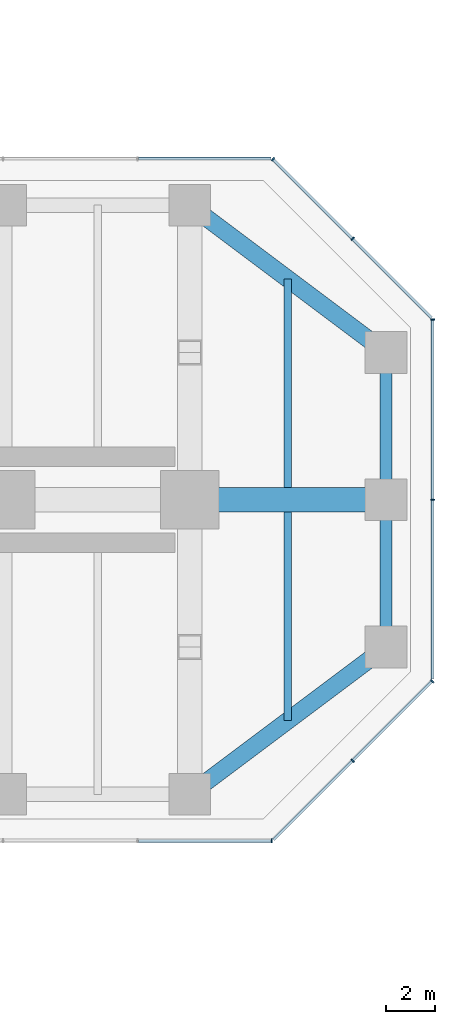
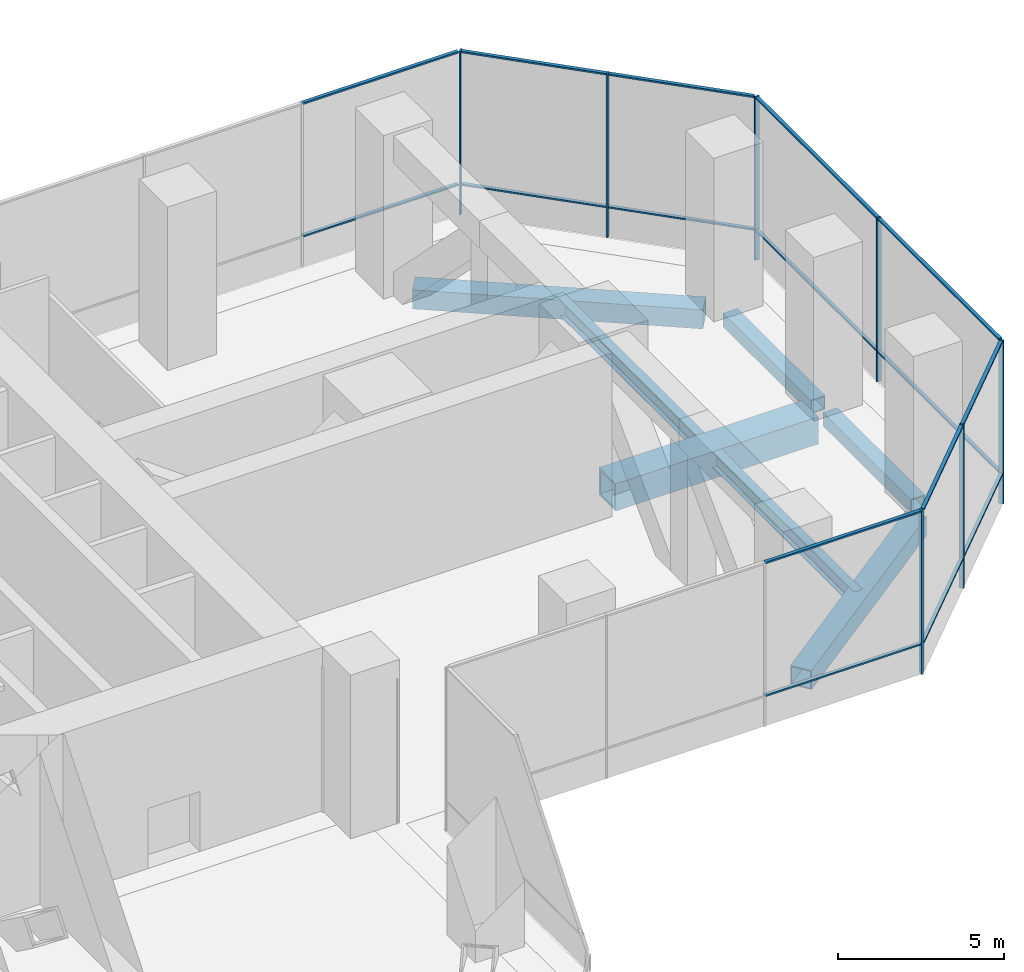
# One storey, part 11 of 19: 23 members, 7 beams, 5 elements without a shape of their own.
"""IFC4 building model written with IfcOpenShell, lengths in metres."""

from ifc_helpers import new_model, si_unit, direction, frame, origin, origin_2d, place, context, subcontext, project, spatial, rectangle, hollow_rectangle, i_section, extrude, material, material_profile, profile_set, type_object, element, aggregate, save


model = new_model("IFC4")

# Units and contexts
model_context = context("Model", 3, precision=1e-05, world=origin(), true_north=direction((0.0, 1.0)))
body_context = subcontext(model_context, "Body", "Model", "MODEL_VIEW")
ifc_project = project(units=[si_unit("LENGTHUNIT", "METRE"), si_unit("AREAUNIT", "SQUARE_METRE"), si_unit("VOLUMEUNIT", "CUBIC_METRE"), si_unit("PLANEANGLEUNIT", "RADIAN"), si_unit("MASSUNIT", "GRAM", prefix="KILO")], contexts=[model_context])

# Site, building, storey
site_placement = place(None, origin())
site = spatial("IfcSite", under=ifc_project, at=site_placement, CompositionType="ELEMENT")
building_placement = place(site_placement, origin())
building = spatial("IfcBuilding", under=site, at=building_placement, Name="Mizan Broadcast Tower", CompositionType="ELEMENT")
storey_placement = place(building_placement, frame((0.0, 0.0, 198.89990234375)))
storey = spatial("IfcBuildingStorey", under=building, at=storey_placement, Name="L46", CompositionType="ELEMENT", Elevation=198.89990234375)

# Beams
ifc_material_1 = material(Name="Steel S355", Category="steel")
ifc_material_profile_1 = material_profile(ifc_material_1, hollow_rectangle(XDim=0.5, YDim=0.5, WallThickness=0.030029296875, at=origin_2d()), Name="BOX 500x500x30")
ifc_profile_set_1 = profile_set([ifc_material_profile_1], Name="Steel S355")
beam_type_1 = type_object("IfcBeamType", Name="EDGE BEAM BOX 500x500x30", PredefinedType="SPANDREL", material=ifc_profile_set_1)
for number, where, z_axis, x_axis, name in (
    (1, (35.0, -5.639892578125, -0.429931640625), (0.0, 1.0, 0.0), (-1.0, 0.0, 0.0), "Edge beam BOX 500x500x30 L46 east arm"),
    (2, (35.0, 5.639892578125, -0.429931640625), (0.0, -1.0, 0.0), (1.0, 0.0, 0.0), "Edge beam BOX 500x500x30 L46 east arm"),
):
    element("IfcBeam", number, at=place(storey_placement, frame(where, z_axis=z_axis, x_axis=x_axis)), inside=storey, type_object=beam_type_1, Name=name, PredefinedType="SPANDREL", context=body_context, shape_type="SweptSolid", body=[
        extrude(hollow_rectangle(XDim=0.5, YDim=0.5, WallThickness=0.030029296875, at=origin_2d()), origin(), (0.0, 0.0, 1.0), 5.27978515625),
    ])
ifc_material_2 = material(Name="Steel S355", Category="steel")
ifc_material_profile_2 = material_profile(ifc_material_2, hollow_rectangle(XDim=0.699951171875, YDim=0.699951171875, WallThickness=0.0400390625, at=origin_2d()), Name="BOX 700x700x40")
ifc_profile_set_2 = profile_set([ifc_material_profile_2], Name="Steel S355")
beam_type_2 = type_object("IfcBeamType", Name="EDGE BEAM BOX 700x700x40", PredefinedType="SPANDREL", material=ifc_profile_set_2)
for number, where, z_axis, x_axis, name in (
    (3, (27.47998046875, -11.639892578125, -0.52978515625), (0.800013316712, 0.599982243973, 0.0), (-0.599982243973, 0.800013316712, 0.0), "Edge beam BOX 700x700x40 L46 east arm"),
    (4, (27.47998046875, 11.639892578125, -0.52978515625), (0.800013316712, -0.599982243973, 0.0), (0.599982243973, 0.800013316712, 0.0), "Edge beam BOX 700x700x40 L46 east arm"),
):
    element("IfcBeam", number, at=place(storey_placement, frame(where, z_axis=z_axis, x_axis=x_axis)), inside=storey, type_object=beam_type_2, Name=name, PredefinedType="SPANDREL", context=body_context, shape_type="SweptSolid", body=[
        extrude(hollow_rectangle(XDim=0.699951171875, YDim=0.699951171875, WallThickness=0.0400390625, at=origin_2d()), origin(), (0.0, 0.0, 1.0), 8.7998046875),
    ])
ifc_material_3 = material(Name="Steel S460", Category="steel")
ifc_material_profile_3 = material_profile(ifc_material_3, hollow_rectangle(XDim=1.0, YDim=1.0, WallThickness=0.080078125, at=origin_2d()), Name="BOX 1000x1000x80")
ifc_profile_set_3 = profile_set([ifc_material_profile_3], Name="Steel S460")
beam_type_3 = type_object("IfcBeamType", Name="GIRDER BOX 1000x1000x80", PredefinedType="BEAM", material=ifc_profile_set_3)
beam_placement = place(storey_placement, frame((27.47998046875, 0.0, -0.679931640625), z_axis=(1.0, 0.0, 0.0), x_axis=(0.0, 1.0, 0.0)))
element("IfcBeam", 5, at=beam_placement, inside=storey, type_object=beam_type_3, Name="Girder BOX 1000x1000x80 L46 east arm", PredefinedType="BEAM", context=body_context, shape_type="SweptSolid", body=[
    extrude(hollow_rectangle(XDim=1.0, YDim=1.0, WallThickness=0.080078125, at=origin_2d()), origin(), (0.0, 0.0, 1.0), 7.0400390625),
])

# Curtain wall, member
ifc_material_4 = material(Name="Aluminium framed glazing", Category="aluminium")
curtain_wall_type = type_object("IfcCurtainWallType", Name="PLANT LOUVRE", PredefinedType="USERDEFINED", material=ifc_material_4)
curtain_wall_1_placement = place(storey_placement, origin())
curtain_wall_1 = element("IfcCurtainWall", 6, at=curtain_wall_1_placement, inside=storey, type_object=curtain_wall_type, Name="Plant louvre L46 E side", ObjectType="PLANT LOUVRE", PredefinedType="USERDEFINED")
ifc_material_5 = material(Name="Aluminium, pale anodised", Category="aluminium")
ifc_material_profile_4 = material_profile(ifc_material_5, rectangle(XDim=0.159912109375, YDim=0.06005859375, at=origin_2d()), Name="MULLION 160x60")
ifc_profile_set_4 = profile_set([ifc_material_profile_4], Name="Aluminium, pale anodised")
member_type_1 = type_object("IfcMemberType", Name="INNER SKIN MULLION 60x160", PredefinedType="MULLION", material=ifc_profile_set_4)
member_1_placement = place(storey_placement, frame((30.3427734375, -13.89990234375, 0.0), z_axis=(0.0, 0.0, 1.0), x_axis=(0.0, 1.0, 0.0)))
member_1 = element("IfcMember", 7, at=member_1_placement, type_object=member_type_1, Name="Plant louvre L46 E side mullion 4", PredefinedType="MULLION", context=body_context, shape_type="SweptSolid", body=[
    extrude(rectangle(XDim=0.159912109375, YDim=0.06005859375, at=origin_2d()), origin(), (0.0, 0.0, 1.0), 6.0),
])

# Curtain wall, members
curtain_wall_2_placement = place(storey_placement, origin())
curtain_wall_2 = element("IfcCurtainWall", 8, at=curtain_wall_2_placement, inside=storey, type_object=curtain_wall_type, Name="Plant louvre L46 E chamfer", ObjectType="PLANT LOUVRE", PredefinedType="USERDEFINED")
member_2_placement = place(storey_placement, frame((33.636474609375, -10.636474609375, 0.0), z_axis=(0.0, 0.0, 1.0), x_axis=(-0.707106781187, 0.707106781187, 0.0)))
member_2 = element("IfcMember", 9, at=member_2_placement, type_object=member_type_1, Name="Plant louvre L46 E chamfer mullion 2", PredefinedType="MULLION", context=body_context, shape_type="SweptSolid", body=[
    extrude(rectangle(XDim=0.159912109375, YDim=0.06005859375, at=origin_2d()), origin(), (0.0, 0.0, 1.0), 6.0),
])
member_3_placement = place(storey_placement, frame((36.87890625, -7.39404296875, 0.0), z_axis=(0.0, 0.0, 1.0), x_axis=(-0.707106781187, 0.707106781187, 0.0)))
member_3 = element("IfcMember", 10, at=member_3_placement, type_object=member_type_1, Name="Plant louvre L46 E chamfer mullion 3", PredefinedType="MULLION", context=body_context, shape_type="SweptSolid", body=[
    extrude(rectangle(XDim=0.159912109375, YDim=0.06005859375, at=origin_2d()), origin(), (0.0, 0.0, 1.0), 6.0),
])

curtain_wall_3_placement = place(storey_placement, origin())
curtain_wall_3 = element("IfcCurtainWall", 11, at=curtain_wall_3_placement, inside=storey, type_object=curtain_wall_type, Name="Plant louvre L46 E end", ObjectType="PLANT LOUVRE", PredefinedType="USERDEFINED")
member_4_placement = place(storey_placement, frame((36.89990234375, 0.0, 0.0), z_axis=(0.0, 0.0, 1.0), x_axis=(-1.0, 0.0, 0.0)))
member_4 = element("IfcMember", 12, at=member_4_placement, type_object=member_type_1, Name="Plant louvre L46 E end mullion 2", PredefinedType="MULLION", context=body_context, shape_type="SweptSolid", body=[
    extrude(rectangle(XDim=0.159912109375, YDim=0.06005859375, at=origin_2d()), origin(), (0.0, 0.0, 1.0), 6.0),
])
member_5_placement = place(storey_placement, frame((36.89990234375, 7.3427734375, 0.0), z_axis=(0.0, 0.0, 1.0), x_axis=(-1.0, 0.0, 0.0)))
member_5 = element("IfcMember", 13, at=member_5_placement, type_object=member_type_1, Name="Plant louvre L46 E end mullion 3", PredefinedType="MULLION", context=body_context, shape_type="SweptSolid", body=[
    extrude(rectangle(XDim=0.159912109375, YDim=0.06005859375, at=origin_2d()), origin(), (0.0, 0.0, 1.0), 6.0),
])

curtain_wall_4_placement = place(storey_placement, origin())
curtain_wall_4 = element("IfcCurtainWall", 14, at=curtain_wall_4_placement, inside=storey, type_object=curtain_wall_type, Name="Plant louvre L46 E chamfer", ObjectType="PLANT LOUVRE", PredefinedType="USERDEFINED")
member_6_placement = place(storey_placement, frame((33.636474609375, 10.636474609375, 0.0), z_axis=(0.0, 0.0, 1.0), x_axis=(-0.707106781187, -0.707106781187, 0.0)))
member_6 = element("IfcMember", 15, at=member_6_placement, type_object=member_type_1, Name="Plant louvre L46 E chamfer mullion 2", PredefinedType="MULLION", context=body_context, shape_type="SweptSolid", body=[
    extrude(rectangle(XDim=0.159912109375, YDim=0.06005859375, at=origin_2d()), origin(), (0.0, 0.0, 1.0), 6.0),
])
member_7_placement = place(storey_placement, frame((30.39404296875, 13.87890625, 0.0), z_axis=(0.0, 0.0, 1.0), x_axis=(-0.707106781187, -0.707106781187, 0.0)))
member_7 = element("IfcMember", 16, at=member_7_placement, type_object=member_type_1, Name="Plant louvre L46 E chamfer mullion 3", PredefinedType="MULLION", context=body_context, shape_type="SweptSolid", body=[
    extrude(rectangle(XDim=0.159912109375, YDim=0.06005859375, at=origin_2d()), origin(), (0.0, 0.0, 1.0), 6.0),
])

# Member
ifc_material_6 = material(Name="Aluminium, pale anodised", Category="aluminium")
ifc_material_profile_5 = material_profile(ifc_material_6, rectangle(XDim=0.1201171875, YDim=0.06005859375, at=origin_2d()), Name="TRANSOM 120x60")
ifc_profile_set_5 = profile_set([ifc_material_profile_5], Name="Aluminium, pale anodised")
member_type_2 = type_object("IfcMemberType", Name="INNER SKIN TRANSOM 60x120", PredefinedType="USERDEFINED", material=ifc_profile_set_5)
member_8_placement = place(storey_placement, frame((24.911865234375, -13.89990234375, 1.10009765625), z_axis=(1.0, 0.0, 0.0), x_axis=(0.0, 1.0, 0.0)))
member_8 = element("IfcMember", 17, at=member_8_placement, type_object=member_type_2, Name="Plant louvre L46 E side transom 3.1", ObjectType="TRANSOM", PredefinedType="USERDEFINED", context=body_context, shape_type="SweptSolid", body=[
    extrude(rectangle(XDim=0.1201171875, YDim=0.06005859375, at=origin_2d()), origin(), (0.0, 0.0, 1.0), 5.40087890625),
])

member_9_placement = place(storey_placement, frame((24.911865234375, -13.89990234375, 5.97021484375), z_axis=(1.0, 0.0, 0.0), x_axis=(0.0, 1.0, 0.0)))
member_9 = element("IfcMember", 18, at=member_9_placement, type_object=member_type_2, Name="Plant louvre L46 E side transom 3.2", ObjectType="TRANSOM", PredefinedType="USERDEFINED", context=body_context, shape_type="SweptSolid", body=[
    extrude(rectangle(XDim=0.1201171875, YDim=0.06005859375, at=origin_2d()), origin(), (0.0, 0.0, 1.0), 5.40087890625),
])

aggregate(curtain_wall_1, [member_1, member_8, member_9])

member_10_placement = place(storey_placement, frame((30.415283203125, -13.857666015625, 1.10009765625), z_axis=(0.707106781187, 0.707106781187, 0.0), x_axis=(-0.707106781187, 0.707106781187, 0.0)))
member_10 = element("IfcMember", 19, at=member_10_placement, type_object=member_type_2, Name="Plant louvre L46 E chamfer transom 1.1", ObjectType="TRANSOM", PredefinedType="USERDEFINED", context=body_context, shape_type="SweptSolid", body=[
    extrude(rectangle(XDim=0.1201171875, YDim=0.06005859375, at=origin_2d()), origin(), (0.0, 0.0, 1.0), 4.525390625),
])

member_11_placement = place(storey_placement, frame((30.415283203125, -13.857666015625, 5.97021484375), z_axis=(0.707106781187, 0.707106781187, 0.0), x_axis=(-0.707106781187, 0.707106781187, 0.0)))
member_11 = element("IfcMember", 20, at=member_11_placement, type_object=member_type_2, Name="Plant louvre L46 E chamfer transom 1.2", ObjectType="TRANSOM", PredefinedType="USERDEFINED", context=body_context, shape_type="SweptSolid", body=[
    extrude(rectangle(XDim=0.1201171875, YDim=0.06005859375, at=origin_2d()), origin(), (0.0, 0.0, 1.0), 4.525390625),
])

member_12_placement = place(storey_placement, frame((33.65771484375, -10.615234375, 1.10009765625), z_axis=(0.707106781187, 0.707106781187, 0.0), x_axis=(-0.707106781187, 0.707106781187, 0.0)))
member_12 = element("IfcMember", 21, at=member_12_placement, type_object=member_type_2, Name="Plant louvre L46 E chamfer transom 2.1", ObjectType="TRANSOM", PredefinedType="USERDEFINED", context=body_context, shape_type="SweptSolid", body=[
    extrude(rectangle(XDim=0.1201171875, YDim=0.06005859375, at=origin_2d()), origin(), (0.0, 0.0, 1.0), 4.525390625),
])

member_13_placement = place(storey_placement, frame((33.65771484375, -10.615234375, 5.97021484375), z_axis=(0.707106781187, 0.707106781187, 0.0), x_axis=(-0.707106781187, 0.707106781187, 0.0)))
member_13 = element("IfcMember", 22, at=member_13_placement, type_object=member_type_2, Name="Plant louvre L46 E chamfer transom 2.2", ObjectType="TRANSOM", PredefinedType="USERDEFINED", context=body_context, shape_type="SweptSolid", body=[
    extrude(rectangle(XDim=0.1201171875, YDim=0.06005859375, at=origin_2d()), origin(), (0.0, 0.0, 1.0), 4.525390625),
])

aggregate(curtain_wall_2, [member_2, member_3, member_10, member_11, member_12, member_13])

member_14_placement = place(storey_placement, frame((36.89990234375, -7.312744140625, 1.10009765625), z_axis=(0.0, 1.0, 0.0), x_axis=(-1.0, 0.0, 0.0)))
member_14 = element("IfcMember", 23, at=member_14_placement, type_object=member_type_2, Name="Plant louvre L46 E end transom 1.1", ObjectType="TRANSOM", PredefinedType="USERDEFINED", context=body_context, shape_type="SweptSolid", body=[
    extrude(rectangle(XDim=0.1201171875, YDim=0.06005859375, at=origin_2d()), origin(), (0.0, 0.0, 1.0), 7.28271484375),
])

member_15_placement = place(storey_placement, frame((36.89990234375, -7.312744140625, 5.97021484375), z_axis=(0.0, 1.0, 0.0), x_axis=(-1.0, 0.0, 0.0)))
member_15 = element("IfcMember", 24, at=member_15_placement, type_object=member_type_2, Name="Plant louvre L46 E end transom 1.2", ObjectType="TRANSOM", PredefinedType="USERDEFINED", context=body_context, shape_type="SweptSolid", body=[
    extrude(rectangle(XDim=0.1201171875, YDim=0.06005859375, at=origin_2d()), origin(), (0.0, 0.0, 1.0), 7.28271484375),
])

member_16_placement = place(storey_placement, frame((36.89990234375, 0.030029296875, 1.10009765625), z_axis=(0.0, 1.0, 0.0), x_axis=(-1.0, 0.0, 0.0)))
member_16 = element("IfcMember", 25, at=member_16_placement, type_object=member_type_2, Name="Plant louvre L46 E end transom 2.1", ObjectType="TRANSOM", PredefinedType="USERDEFINED", context=body_context, shape_type="SweptSolid", body=[
    extrude(rectangle(XDim=0.1201171875, YDim=0.06005859375, at=origin_2d()), origin(), (0.0, 0.0, 1.0), 7.28271484375),
])

member_17_placement = place(storey_placement, frame((36.89990234375, 0.030029296875, 5.97021484375), z_axis=(0.0, 1.0, 0.0), x_axis=(-1.0, 0.0, 0.0)))
member_17 = element("IfcMember", 26, at=member_17_placement, type_object=member_type_2, Name="Plant louvre L46 E end transom 2.2", ObjectType="TRANSOM", PredefinedType="USERDEFINED", context=body_context, shape_type="SweptSolid", body=[
    extrude(rectangle(XDim=0.1201171875, YDim=0.06005859375, at=origin_2d()), origin(), (0.0, 0.0, 1.0), 7.28271484375),
])

aggregate(curtain_wall_3, [member_4, member_5, member_14, member_15, member_16, member_17])

member_18_placement = place(storey_placement, frame((36.857666015625, 7.415283203125, 1.10009765625), z_axis=(-0.707106781187, 0.707106781187, 0.0), x_axis=(-0.707106781187, -0.707106781187, 0.0)))
member_18 = element("IfcMember", 27, at=member_18_placement, type_object=member_type_2, Name="Plant louvre L46 E chamfer transom 1.1", ObjectType="TRANSOM", PredefinedType="USERDEFINED", context=body_context, shape_type="SweptSolid", body=[
    extrude(rectangle(XDim=0.1201171875, YDim=0.06005859375, at=origin_2d()), origin(), (0.0, 0.0, 1.0), 4.525390625),
])

member_19_placement = place(storey_placement, frame((36.857666015625, 7.415283203125, 5.97021484375), z_axis=(-0.707106781187, 0.707106781187, 0.0), x_axis=(-0.707106781187, -0.707106781187, 0.0)))
member_19 = element("IfcMember", 28, at=member_19_placement, type_object=member_type_2, Name="Plant louvre L46 E chamfer transom 1.2", ObjectType="TRANSOM", PredefinedType="USERDEFINED", context=body_context, shape_type="SweptSolid", body=[
    extrude(rectangle(XDim=0.1201171875, YDim=0.06005859375, at=origin_2d()), origin(), (0.0, 0.0, 1.0), 4.525390625),
])

member_20_placement = place(storey_placement, frame((33.615234375, 10.65771484375, 1.10009765625), z_axis=(-0.707106781187, 0.707106781187, 0.0), x_axis=(-0.707106781187, -0.707106781187, 0.0)))
member_20 = element("IfcMember", 29, at=member_20_placement, type_object=member_type_2, Name="Plant louvre L46 E chamfer transom 2.1", ObjectType="TRANSOM", PredefinedType="USERDEFINED", context=body_context, shape_type="SweptSolid", body=[
    extrude(rectangle(XDim=0.1201171875, YDim=0.06005859375, at=origin_2d()), origin(), (0.0, 0.0, 1.0), 4.525390625),
])

member_21_placement = place(storey_placement, frame((33.615234375, 10.65771484375, 5.97021484375), z_axis=(-0.707106781187, 0.707106781187, 0.0), x_axis=(-0.707106781187, -0.707106781187, 0.0)))
member_21 = element("IfcMember", 30, at=member_21_placement, type_object=member_type_2, Name="Plant louvre L46 E chamfer transom 2.2", ObjectType="TRANSOM", PredefinedType="USERDEFINED", context=body_context, shape_type="SweptSolid", body=[
    extrude(rectangle(XDim=0.1201171875, YDim=0.06005859375, at=origin_2d()), origin(), (0.0, 0.0, 1.0), 4.525390625),
])

aggregate(curtain_wall_4, [member_6, member_7, member_18, member_19, member_20, member_21])

# Curtain wall, members
curtain_wall_5_placement = place(storey_placement, origin())
curtain_wall_5 = element("IfcCurtainWall", 31, at=curtain_wall_5_placement, inside=storey, type_object=curtain_wall_type, Name="Plant louvre L46 E side", ObjectType="PLANT LOUVRE", PredefinedType="USERDEFINED")
member_22_placement = place(storey_placement, frame((30.312744140625, 13.89990234375, 1.10009765625), z_axis=(-1.0, 0.0, 0.0), x_axis=(0.0, -1.0, 0.0)))
member_22 = element("IfcMember", 32, at=member_22_placement, type_object=member_type_2, Name="Plant louvre L46 E side transom 1.1", ObjectType="TRANSOM", PredefinedType="USERDEFINED", context=body_context, shape_type="SweptSolid", body=[
    extrude(rectangle(XDim=0.1201171875, YDim=0.06005859375, at=origin_2d()), origin(), (0.0, 0.0, 1.0), 5.40087890625),
])
member_23_placement = place(storey_placement, frame((30.312744140625, 13.89990234375, 5.97021484375), z_axis=(-1.0, 0.0, 0.0), x_axis=(0.0, -1.0, 0.0)))
member_23 = element("IfcMember", 33, at=member_23_placement, type_object=member_type_2, Name="Plant louvre L46 E side transom 1.2", ObjectType="TRANSOM", PredefinedType="USERDEFINED", context=body_context, shape_type="SweptSolid", body=[
    extrude(rectangle(XDim=0.1201171875, YDim=0.06005859375, at=origin_2d()), origin(), (0.0, 0.0, 1.0), 5.40087890625),
])
aggregate(curtain_wall_5, [member_22, member_23])

# Beams
ifc_material_7 = material(Name="Steel S355", Category="steel")
ifc_material_profile_6 = material_profile(ifc_material_7, i_section(OverallWidth=0.300048828125, OverallDepth=0.590087890625, WebThickness=0.012939453125, FlangeThickness=0.02490234375, FilletRadius=0.027099609375, at=origin_2d()), Name="HEA 600")
ifc_profile_set_6 = profile_set([ifc_material_profile_6], Name="Steel S355")
beam_type_4 = type_object("IfcBeamType", Name="SECONDARY BEAM HEA 600", PredefinedType="JOIST", material=ifc_profile_set_6)
for number, where, z_axis, x_axis, name in (
    (34, (31.0, -9.0, -0.474853515625), (0.0, 1.0, 0.0), (-1.0, 0.0, 0.0), "Secondary beam HEA 600 L46 east arm"),
    (35, (31.0, 9.0, -0.474853515625), (0.0, -1.0, 0.0), (1.0, 0.0, 0.0), "Secondary beam HEA 600 L46 east arm"),
):
    element("IfcBeam", number, at=place(storey_placement, frame(where, z_axis=z_axis, x_axis=x_axis)), inside=storey, type_object=beam_type_4, Name=name, PredefinedType="JOIST", context=body_context, shape_type="SweptSolid", body=[
        extrude(i_section(OverallWidth=0.300048828125, OverallDepth=0.590087890625, WebThickness=0.012939453125, FlangeThickness=0.02490234375, FilletRadius=0.027099609375, at=origin_2d()), origin(), (0.0, 0.0, 1.0), 8.5),
    ])

save(model, "model.ifc")
